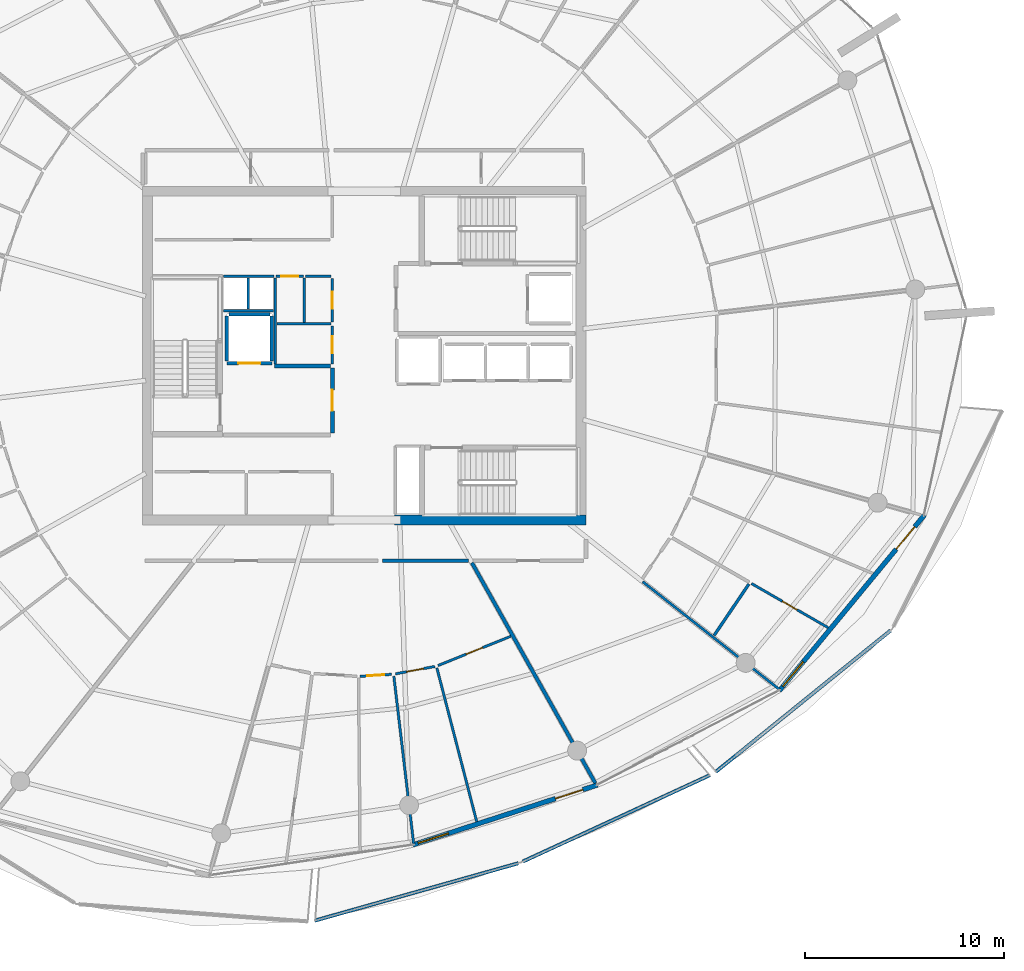
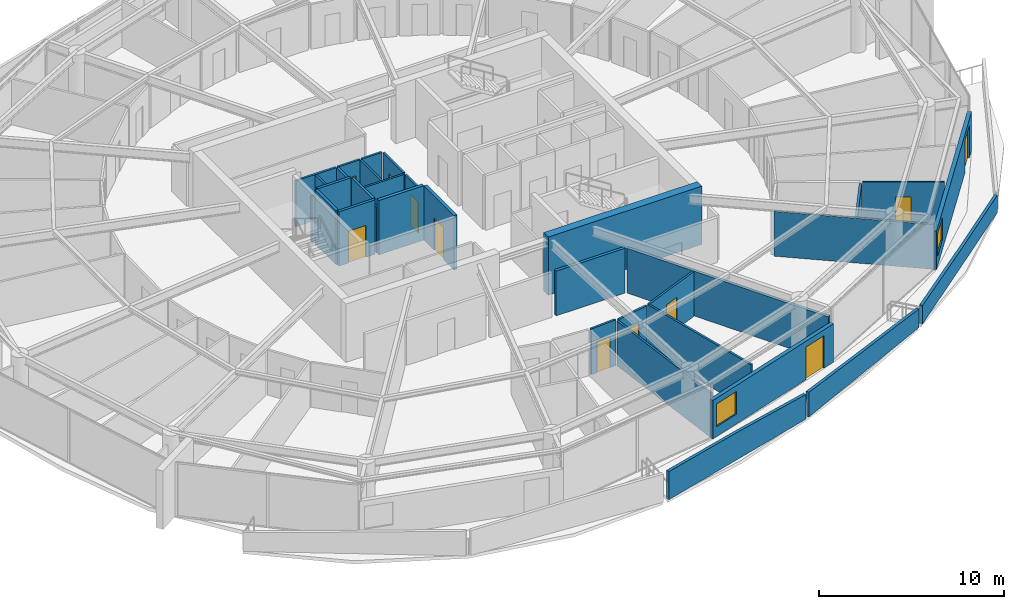
# One storey, part 19 of 30: 32 walls, 11 doors, 2 windows, 13 openings.
"""IFC4 building model written with IfcOpenShell, lengths in metres."""

from ifc_helpers import new_model, si_unit, direction, frame, frame_2d, origin, place, context, subcontext, project, spatial, polyline, rectangle, outline, extrude, material, layer, layer_set, type_object, element, fill, save


model = new_model("IFC4")

# Units and contexts
model_context = context("Model", 3, precision=1e-05, world=origin(), true_north=direction((0.0, 1.0)))
body_context = subcontext(model_context, "Body", "Model", "MODEL_VIEW")
ifc_project = project(units=[si_unit("LENGTHUNIT", "METRE"), si_unit("AREAUNIT", "SQUARE_METRE"), si_unit("VOLUMEUNIT", "CUBIC_METRE"), si_unit("PLANEANGLEUNIT", "RADIAN"), si_unit("MASSUNIT", "GRAM", prefix="KILO")], contexts=[model_context])

# Site, building, storey
site_placement = place(None, origin())
site = spatial("IfcSite", under=ifc_project, at=site_placement, CompositionType="ELEMENT")
building_placement = place(site_placement, origin())
building = spatial("IfcBuilding", under=site, at=building_placement, Name="Kazma Halo Residences", CompositionType="ELEMENT")
storey_placement = place(building_placement, frame((0.0, 0.0, 298.300048828125)))
storey = spatial("IfcBuildingStorey", under=building, at=storey_placement, Name="L75", CompositionType="ELEMENT", Elevation=298.300048828125)

# Walls
ifc_material_1 = material(Name="White Concrete C50/60 Balustrade", Category="concrete")
ifc_layer_1 = layer(ifc_material_1, 0.179931640625)
ifc_layer_set_1 = layer_set([ifc_layer_1], Name="White Concrete C50/60 Balustrade")
wall_type_1 = type_object("IfcWallType", Name="WL-BAL-WAVE-180", PredefinedType="PARAPET", material=ifc_layer_set_1)
wall_1_placement = place(storey_placement, frame((45.94189453125, 13.635498046875, 0.0), z_axis=(0.0, 0.0, 1.0), x_axis=(0.962462930889, 0.271413165976, 0.0)))
element("IfcWall", 1, at=wall_1_placement, inside=storey, type_object=wall_type_1, Name="L75 white wave balustrade wall SSE.1", PredefinedType="PARAPET", context=body_context, shape_type="SweptSolid", body=[
    extrude(outline(polyline([(0.0, 0.0), (10.610595703125, 0.0), (10.610595703125, 1.6318359375), (5.305419921875, 1.7978515625), (0.0, 1.85986328125), (0.0, 0.0)])), frame((0.0, 0.08984375, 0.0), z_axis=(0.0, -1.0, 0.0), x_axis=(1.0, 0.0, 0.0)), (0.0, 0.0, 1.0), 0.179931640625),
])
wall_2_placement = place(storey_placement, frame((56.378662109375, 16.598388671875, 0.0), z_axis=(0.0, 0.0, 1.0), x_axis=(0.907848132744, 0.419299138888, 0.0)))
element("IfcWall", 2, at=wall_2_placement, inside=storey, type_object=wall_type_1, Name="L75 white wave balustrade wall SSE.2", PredefinedType="PARAPET", context=body_context, shape_type="SweptSolid", body=[
    extrude(outline(polyline([(0.0, 0.0), (10.34375, 0.0), (10.34375, 1.23291015625), (5.171875, 1.41796875), (0.0, 1.6318359375), (0.0, 0.0)])), frame((0.0, 0.08984375, 0.0), z_axis=(0.0, -1.0, 0.0), x_axis=(1.0, 0.0, 0.0)), (0.0, 0.0, 1.0), 0.179931640625),
])
wall_3_placement = place(storey_placement, frame((66.0673828125, 21.10546875, 0.0), z_axis=(0.0, 0.0, 1.0), x_axis=(0.777688536298, 0.628649775718, 0.0)))
element("IfcWall", 3, at=wall_3_placement, inside=storey, type_object=wall_type_1, Name="L75 white wave balustrade wall SE.1", PredefinedType="PARAPET", context=body_context, shape_type="SweptSolid", body=[
    extrude(outline(polyline([(0.0, 0.0), (11.284912109375, 0.0), (11.28466796875, 1.14794921875), (5.642333984375, 1.126953125), (0.0, 1.223876953125), (0.0, 0.0)])), frame((0.0, 0.08984375, 0.0), z_axis=(0.0, -1.0, 0.0), x_axis=(1.0, 0.0, 0.0)), (0.0, 0.0, 1.0), 0.179931640625),
])
ifc_material_2 = material(Name="Concrete C60/75", Category="concrete")
ifc_layer_2 = layer(ifc_material_2, 0.5)
ifc_layer_set_2 = layer_set([ifc_layer_2], Name="Concrete C60/75")
wall_type_2 = type_object("IfcWallType", Name="WL-CORE-500", PredefinedType="SHEAR", material=ifc_layer_set_2)
wall_4_placement = place(storey_placement, frame((49.949951171875, 33.75, 0.0), z_axis=(0.0, 0.0, 1.0), x_axis=(1.0, 0.0, 0.0)))
element("IfcWall", 4, at=wall_4_placement, inside=storey, type_object=wall_type_2, Name="L75 central core shear wall SE", PredefinedType="SHEAR", context=body_context, shape_type="SweptSolid", body=[
    extrude(rectangle(XDim=9.60009765625, YDim=0.5, at=frame_2d((4.800048828125, 0.0))), origin(), (0.0, 0.0, 1.0), 3.849853515625),
])
ifc_material_3 = material(Name="Acoustic Twin-Stud Gypsum")
ifc_layer_3 = layer(ifc_material_3, 0.179931640625)
ifc_layer_set_3 = layer_set([ifc_layer_3], Name="Acoustic Twin-Stud Gypsum")
wall_type_3 = type_object("IfcWallType", Name="WL-DEM-180", PredefinedType="PARTITIONING", material=ifc_layer_set_3)
wall_5_placement = place(storey_placement, frame((53.822021484375, 31.60400390625, 0.0), z_axis=(0.0, 0.0, 1.0), x_axis=(0.48862858053, -0.872491896976, 0.0)))
element("IfcWall", 5, at=wall_5_placement, inside=storey, type_object=wall_type_3, Name="L75 apartment demising radial wall 12", PredefinedType="PARTITIONING", context=body_context, shape_type="SweptSolid", body=[
    extrude(rectangle(XDim=12.679443359375, YDim=0.179931640625, at=frame_2d((6.33984375, 0.0))), origin(), (0.0, 0.0, 1.0), 2.95703125),
])
wall_6_placement = place(storey_placement, frame((49.339111328125, 31.699951171875, 0.0), z_axis=(0.0, 0.0, 1.0), x_axis=(1.0, 0.0, 0.0)))
element("IfcWall", 6, at=wall_6_placement, inside=storey, type_object=wall_type_3, Name="L75 Apartment 1 inner wall 11", PredefinedType="PARTITIONING", context=body_context, shape_type="SweptSolid", body=[
    extrude(rectangle(XDim=4.30908203125, YDim=0.179931640625, at=frame_2d((2.154541015625, 0.0))), origin(), (0.0, 0.0, 1.0), 2.95703125),
])

# Wall, openings, door, window
ifc_material_4 = material(Name="Insulated Pale-Metal Composite Wall")
ifc_layer_4 = layer(ifc_material_4, 0.239990234375)
ifc_layer_set_4 = layer_set([ifc_layer_4], Name="Insulated Pale-Metal Composite Wall")
wall_type_4 = type_object("IfcWallType", Name="WL-EXT-HOST-240", PredefinedType="SOLIDWALL", material=ifc_layer_set_4)
wall_7_placement = place(storey_placement, frame((50.85791015625, 17.436279296875, 0.0), z_axis=(0.0, 0.0, 1.0), x_axis=(0.951055974609, 0.309018661507, 0.0)))
wall_7 = element("IfcWall", 7, at=wall_7_placement, inside=storey, type_object=wall_type_4, Name="L75 exterior terrace-access wall B12", PredefinedType="SOLIDWALL", context=body_context, shape_type="SweptSolid", body=[
    extrude(rectangle(XDim=9.745361328125, YDim=0.239990234375, at=frame_2d((4.87255859375, 0.0))), origin(), (0.0, 0.0, 1.0), 2.5400390625),
])
opening_1_placement = place(wall_7_placement, frame((7.525390625, 0.0, 0.0)))
opening_1 = element("IfcOpeningElement", 8, at=opening_1_placement, cuts=wall_7, Name="Opening DTR-1600", PredefinedType="OPENING", context=body_context, shape_type="SweptSolid", body=[
    extrude(rectangle(XDim=1.449951171875, YDim=2.14990234375, at=frame_2d((0.72509765625, 1.074951171875))), frame((0.0, 0.1298828125, 0.0), z_axis=(0.0, -1.0, 0.0), x_axis=(1.0, 0.0, 0.0)), (0.0, 0.0, 1.0), 0.260009765625),
])
opening_2_placement = place(wall_7_placement, frame((0.280029296875, 0.0, 0.64990234375)))
opening_2 = element("IfcOpeningElement", 9, at=opening_2_placement, cuts=wall_7, Name="Opening W-1800", PredefinedType="OPENING", context=body_context, shape_type="SweptSolid", body=[
    extrude(rectangle(XDim=1.60009765625, YDim=1.5, at=frame_2d((0.800048828125, 0.75))), frame((0.0, 0.1298828125, 0.0), z_axis=(0.0, -1.0, 0.0), x_axis=(1.0, 0.0, 0.0)), (0.0, 0.0, 1.0), 0.260009765625),
])
ifc_material_5 = material(Name="Aluminium AW-6063 T6 Double-Glazed Terrace Door", Category="aluminium")
door_type_1 = type_object("IfcDoorType", Name="DR-EXT-TERR-1600", OperationType="NOTDEFINED", PredefinedType="DOOR", material=ifc_material_5)
door_1_placement = place(opening_1_placement, origin())
door_1 = element("IfcDoor", 10, at=door_1_placement, inside=storey, type_object=door_type_1, Name="L75 B12 balcony terrace door", OperationType="DOUBLE_DOOR_SLIDING", OverallHeight=2.14990234375, OverallWidth=1.449951171875, PredefinedType="DOOR", context=body_context, shape_type="SweptSolid", body=[
    extrude(rectangle(XDim=1.449951171875, YDim=2.14990234375, at=frame_2d((0.72509765625, 1.074951171875))), frame((0.0, 0.02490234375, 0.0), z_axis=(0.0, -1.0, 0.0), x_axis=(1.0, 0.0, 0.0)), (0.0, 0.0, 1.0), 0.050048828125),
])
fill(opening_1, door_1)
ifc_material_6 = material(Name="Clear Triple-Silver Low-E Glass in Aluminium AW-6063 T6 Frame", Category="aluminium")
window_type = type_object("IfcWindowType", Name="WIN-RES-1800", PartitioningType="DOUBLE_PANEL_VERTICAL", PredefinedType="WINDOW", material=ifc_material_6)
window_1_placement = place(opening_2_placement, origin())
window_1 = element("IfcWindow", 11, at=window_1_placement, inside=storey, type_object=window_type, Name="L75 B12 apartment window", OverallHeight=1.5, OverallWidth=1.60009765625, PartitioningType="SINGLE_PANEL", PredefinedType="WINDOW", context=body_context, shape_type="SweptSolid", body=[
    extrude(rectangle(XDim=1.60009765625, YDim=1.5, at=frame_2d((0.800048828125, 0.75))), frame((0.0, 0.030029296875, 0.0), z_axis=(0.0, -1.0, 0.0), x_axis=(1.0, 0.0, 0.0)), (0.0, 0.0, 1.0), 0.06005859375),
])
fill(opening_2, window_1)

wall_8_placement = place(storey_placement, frame((69.2578125, 25.177978515625, 0.0), z_axis=(0.0, 0.0, 1.0), x_axis=(0.636680093065, 0.771128043255, 0.0)))
wall_8 = element("IfcWall", 12, at=wall_8_placement, inside=storey, type_object=wall_type_4, Name="L75 exterior terrace-access wall B14", PredefinedType="SOLIDWALL", context=body_context, shape_type="SweptSolid", body=[
    extrude(rectangle(XDim=11.438232421875, YDim=0.239990234375, at=frame_2d((5.71923828125, 0.0))), origin(), (0.0, 0.0, 1.0), 2.5400390625),
])
opening_3_placement = place(wall_8_placement, frame((9.21826171875, 0.0, 0.0)))
opening_3 = element("IfcOpeningElement", 13, at=opening_3_placement, cuts=wall_8, Name="Opening DTR-1600", PredefinedType="OPENING", context=body_context, shape_type="SweptSolid", body=[
    extrude(rectangle(XDim=1.449951171875, YDim=2.14990234375, at=frame_2d((0.72509765625, 1.074951171875))), frame((0.0, 0.1298828125, 0.0), z_axis=(0.0, -1.0, 0.0), x_axis=(1.0, 0.0, 0.0)), (0.0, 0.0, 1.0), 0.260009765625),
])
opening_4_placement = place(wall_8_placement, frame((0.280029296875, 0.0, 0.64990234375)))
opening_4 = element("IfcOpeningElement", 14, at=opening_4_placement, cuts=wall_8, Name="Opening W-1800", PredefinedType="OPENING", context=body_context, shape_type="SweptSolid", body=[
    extrude(rectangle(XDim=1.60009765625, YDim=1.5, at=frame_2d((0.800048828125, 0.75))), frame((0.0, 0.1298828125, 0.0), z_axis=(0.0, -1.0, 0.0), x_axis=(1.0, 0.0, 0.0)), (0.0, 0.0, 1.0), 0.260009765625),
])
door_2_placement = place(opening_3_placement, origin())
door_2 = element("IfcDoor", 15, at=door_2_placement, inside=storey, type_object=door_type_1, Name="L75 B14 balcony terrace door", OperationType="DOUBLE_DOOR_SLIDING", OverallHeight=2.14990234375, OverallWidth=1.449951171875, PredefinedType="DOOR", context=body_context, shape_type="SweptSolid", body=[
    extrude(rectangle(XDim=1.449951171875, YDim=2.14990234375, at=frame_2d((0.72509765625, 1.074951171875))), frame((0.0, 0.02490234375, 0.0), z_axis=(0.0, -1.0, 0.0), x_axis=(1.0, 0.0, 0.0)), (0.0, 0.0, 1.0), 0.050048828125),
])
fill(opening_3, door_2)
window_2_placement = place(opening_4_placement, origin())
window_2 = element("IfcWindow", 16, at=window_2_placement, inside=storey, type_object=window_type, Name="L75 B14 apartment window", OverallHeight=1.5, OverallWidth=1.60009765625, PartitioningType="SINGLE_PANEL", PredefinedType="WINDOW", context=body_context, shape_type="SweptSolid", body=[
    extrude(rectangle(XDim=1.60009765625, YDim=1.5, at=frame_2d((0.800048828125, 0.75))), frame((0.0, 0.030029296875, 0.0), z_axis=(0.0, -1.0, 0.0), x_axis=(1.0, 0.0, 0.0)), (0.0, 0.0, 1.0), 0.06005859375),
])
fill(opening_4, window_2)

# Wall, opening, door
ifc_material_7 = material(Name="Fire-Rated Blockwork Masonry", Category="masonry")
ifc_layer_5 = layer(ifc_material_7, 0.199951171875)
ifc_layer_set_5 = layer_set([ifc_layer_5], Name="Fire-Rated Blockwork Masonry")
wall_type_5 = type_object("IfcWallType", Name="WL-FLB-200", PredefinedType="PARTITIONING", material=ifc_layer_set_5)
wall_9_placement = place(storey_placement, frame((43.780029296875, 41.6201171875, 0.0), z_axis=(0.0, 0.0, 1.0), x_axis=(-1.0, 0.0, 0.0)))
wall_9 = element("IfcWall", 17, at=wall_9_placement, inside=storey, type_object=wall_type_5, Name="L75 lift shaft FL-01 front wall", PredefinedType="PARTITIONING", context=body_context, shape_type="SweptSolid", body=[
    extrude(rectangle(XDim=2.260009765625, YDim=0.159912109375, at=frame_2d((1.1298828125, 0.0))), origin(), (0.0, 0.0, 1.0), 3.58984375),
])
opening_5_placement = place(wall_9_placement, frame((0.580078125, 0.0, 0.0)))
opening_5 = element("IfcOpeningElement", 18, at=opening_5_placement, cuts=wall_9, Name="Opening LD-FL-01", PredefinedType="OPENING", context=body_context, shape_type="SweptSolid", body=[
    extrude(rectangle(XDim=1.10009765625, YDim=2.10009765625, at=frame_2d((0.550048828125, 1.050048828125))), frame((0.0, 0.08984375, 0.0), z_axis=(0.0, -1.0, 0.0), x_axis=(1.0, 0.0, 0.0)), (0.0, 0.0, 1.0), 0.179931640625),
])
ifc_material_8 = material(Name="Stainless Steel Fire-Rated", Category="steel")
door_type_2 = type_object("IfcDoorType", Name="DR-LIFT-SLD-1100", OperationType="DOUBLE_DOOR_SLIDING", PredefinedType="DOOR", material=ifc_material_8)
door_3_placement = place(opening_5_placement, origin())
door_3 = element("IfcDoor", 19, at=door_3_placement, inside=storey, type_object=door_type_2, Name="L75 lift FL-01 sliding landing door", OperationType="DOUBLE_DOOR_SLIDING", OverallHeight=2.10009765625, OverallWidth=1.10009765625, PredefinedType="DOOR", context=body_context, shape_type="SweptSolid", body=[
    extrude(rectangle(XDim=1.10009765625, YDim=2.10009765625, at=frame_2d((0.550048828125, 1.050048828125))), frame((0.0, 0.02490234375, 0.0), z_axis=(0.0, -1.0, 0.0), x_axis=(1.0, 0.0, 0.0)), (0.0, 0.0, 1.0), 0.050048828125),
])
fill(opening_5, door_3)

# Walls
for number, where, z_axis, x_axis, name in (
    (20, (43.780029296875, 41.719970703125, 0.0), (0.0, 0.0, 1.0), (0.0, 1.0, 0.0), "L75 lift shaft FL-01 side wall E"),
    (21, (41.52001953125, 41.719970703125, 0.0), (0.0, 0.0, 1.0), (0.0, 1.0, 0.0), "L75 lift shaft FL-01 side wall W"),
):
    element("IfcWall", number, at=place(storey_placement, frame(where, z_axis=z_axis, x_axis=x_axis)), inside=storey, type_object=wall_type_5, Name=name, PredefinedType="PARTITIONING", context=body_context, shape_type="SweptSolid", body=[
        extrude(rectangle(XDim=2.260009765625, YDim=0.159912109375, at=frame_2d((1.1298828125, 0.0))), origin(), (0.0, 0.0, 1.0), 3.58984375),
    ])
wall_10_placement = place(storey_placement, frame((41.6201171875, 44.080078125, 0.0), z_axis=(0.0, 0.0, 1.0), x_axis=(1.0, 0.0, 0.0)))
element("IfcWall", 22, at=wall_10_placement, inside=storey, type_object=wall_type_5, Name="L75 lift shaft FL-01 side wall N", PredefinedType="PARTITIONING", context=body_context, shape_type="SweptSolid", body=[
    extrude(rectangle(XDim=2.059814453125, YDim=0.159912109375, at=frame_2d((1.02978515625, 0.0))), origin(), (0.0, 0.0, 1.0), 3.58984375),
])
wall_11_placement = place(storey_placement, frame((43.919921875, 41.47998046875, 0.0), z_axis=(0.0, 0.0, 1.0), x_axis=(1.0, 0.0, 0.0)))
element("IfcWall", 23, at=wall_11_placement, inside=storey, type_object=wall_type_5, Name="L75 west firefighting lobby north smoke wall", PredefinedType="PARTITIONING", context=body_context, shape_type="SweptSolid", body=[
    extrude(rectangle(XDim=2.800048828125, YDim=0.199951171875, at=frame_2d((1.39990234375, 0.0))), origin(), (0.0, 0.0, 1.0), 3.58984375),
])

# Wall, opening, door
wall_12_placement = place(storey_placement, frame((46.820068359375, 38.1201171875, 0.0), z_axis=(0.0, 0.0, 1.0), x_axis=(0.0, 1.0, 0.0)))
wall_12 = element("IfcWall", 24, at=wall_12_placement, inside=storey, type_object=wall_type_5, Name="L75 west firefighting lobby smoke wall", PredefinedType="PARTITIONING", context=body_context, shape_type="SweptSolid", body=[
    extrude(rectangle(XDim=3.259765625, YDim=0.199951171875, at=frame_2d((1.6298828125, 0.0))), origin(), (0.0, 0.0, 1.0), 3.58984375),
])
opening_6_placement = place(wall_12_placement, frame((1.10498046875, 0.0, 0.0)))
opening_6 = element("IfcOpeningElement", 25, at=opening_6_placement, cuts=wall_12, Name="Opening D-FLW", PredefinedType="OPENING", context=body_context, shape_type="SweptSolid", body=[
    extrude(rectangle(XDim=1.050048828125, YDim=2.10009765625, at=frame_2d((0.52490234375, 1.050048828125))), frame((0.0, 0.10986328125, 0.0), z_axis=(0.0, -1.0, 0.0), x_axis=(1.0, 0.0, 0.0)), (0.0, 0.0, 1.0), 0.219970703125),
])
ifc_material_9 = material(Name="Fire-Rated Steel Leaf", Category="steel")
door_type_3 = type_object("IfcDoorType", Name="DR-FD90-1050", OperationType="NOTDEFINED", PredefinedType="DOOR", material=ifc_material_9)
door_4_placement = place(opening_6_placement, origin())
door_4 = element("IfcDoor", 26, at=door_4_placement, inside=storey, type_object=door_type_3, Name="L75 west firefighting lobby smoke door", OperationType="SINGLE_SWING_RIGHT", OverallHeight=2.10009765625, OverallWidth=1.050048828125, PredefinedType="DOOR", context=body_context, shape_type="SweptSolid", body=[
    extrude(rectangle(XDim=1.050048828125, YDim=2.10009765625, at=frame_2d((0.52490234375, 1.050048828125))), frame((0.0, 0.02490234375, 0.0), z_axis=(0.0, -1.0, 0.0), x_axis=(1.0, 0.0, 0.0)), (0.0, 0.0, 1.0), 0.050048828125),
])
fill(opening_6, door_4)

# Walls
ifc_material_10 = material(Name="Gypsum Plasterboard Partition")
ifc_layer_6 = layer(ifc_material_10, 0.125)
ifc_layer_set_6 = layer_set([ifc_layer_6], Name="Gypsum Plasterboard Partition")
wall_type_6 = type_object("IfcWallType", Name="WL-PART-125", PredefinedType="PARTITIONING", material=ifc_layer_set_6)
wall_13_placement = place(storey_placement, frame((41.360107421875, 44.260009765625, 0.0), z_axis=(0.0, 0.0, 1.0), x_axis=(1.0, 0.0, 0.0)))
element("IfcWall", 27, at=wall_13_placement, inside=storey, type_object=wall_type_6, Name="L75 core riser south wall", PredefinedType="PARTITIONING", context=body_context, shape_type="SweptSolid", body=[
    extrude(rectangle(XDim=2.5, YDim=0.125, at=frame_2d((1.25, 0.0))), origin(), (0.0, 0.0, 1.0), 3.030029296875),
])
wall_14_placement = place(storey_placement, frame((42.60009765625, 44.35009765625, 0.0), z_axis=(0.0, 0.0, 1.0), x_axis=(0.0, 1.0, 0.0)))
element("IfcWall", 28, at=wall_14_placement, inside=storey, type_object=wall_type_6, Name="L75 core riser divider wall", PredefinedType="PARTITIONING", context=body_context, shape_type="SweptSolid", body=[
    extrude(rectangle(XDim=1.5498046875, YDim=0.125, at=frame_2d((0.77490234375, 0.0))), origin(), (0.0, 0.0, 1.0), 3.030029296875),
])
wall_15_placement = place(storey_placement, frame((43.949951171875, 41.580078125, 0.0), z_axis=(0.0, 0.0, 1.0), x_axis=(0.0, 1.0, 0.0)))
element("IfcWall", 29, at=wall_15_placement, inside=storey, type_object=wall_type_6, Name="L75 core service west wall", PredefinedType="PARTITIONING", context=body_context, shape_type="SweptSolid", body=[
    extrude(rectangle(XDim=4.31982421875, YDim=0.125, at=frame_2d((2.159912109375, 0.0))), origin(), (0.0, 0.0, 1.0), 3.030029296875),
])
wall_16_placement = place(storey_placement, frame((44.030029296875, 43.590087890625, 0.0), z_axis=(0.0, 0.0, 1.0), x_axis=(1.0, 0.0, 0.0)))
element("IfcWall", 30, at=wall_16_placement, inside=storey, type_object=wall_type_6, Name="L75 core service horiz divider", PredefinedType="PARTITIONING", context=body_context, shape_type="SweptSolid", body=[
    extrude(rectangle(XDim=2.7099609375, YDim=0.125, at=frame_2d((1.35498046875, 0.0))), origin(), (0.0, 0.0, 1.0), 3.030029296875),
])
wall_17_placement = place(storey_placement, frame((45.409912109375, 43.669921875, 0.0), z_axis=(0.0, 0.0, 1.0), x_axis=(0.0, 1.0, 0.0)))
element("IfcWall", 31, at=wall_17_placement, inside=storey, type_object=wall_type_6, Name="L75 core service vert divider", PredefinedType="PARTITIONING", context=body_context, shape_type="SweptSolid", body=[
    extrude(rectangle(XDim=2.22998046875, YDim=0.125, at=frame_2d((1.114990234375, 0.0))), origin(), (0.0, 0.0, 1.0), 3.030029296875),
])

# Wall, opening, door
wall_18_placement = place(storey_placement, frame((46.820068359375, 41.580078125, 0.0), z_axis=(0.0, 0.0, 1.0), x_axis=(0.0, 1.0, 0.0)))
wall_18 = element("IfcWall", 32, at=wall_18_placement, inside=storey, type_object=wall_type_6, Name="L75 refuse room east wall", PredefinedType="PARTITIONING", context=body_context, shape_type="SweptSolid", body=[
    extrude(rectangle(XDim=1.909912109375, YDim=0.125, at=frame_2d((0.955078125, 0.0))), origin(), (0.0, 0.0, 1.0), 3.030029296875),
])
opening_7_placement = place(wall_18_placement, frame((0.530029296875, 0.0, 0.0)))
opening_7 = element("IfcOpeningElement", 33, at=opening_7_placement, cuts=wall_18, Name="Opening DS-850", PredefinedType="OPENING", context=body_context, shape_type="SweptSolid", body=[
    extrude(rectangle(XDim=0.85009765625, YDim=2.06005859375, at=frame_2d((0.425048828125, 1.030029296875))), frame((0.0, 0.072509765625, 0.0), z_axis=(0.0, -1.0, 0.0), x_axis=(1.0, 0.0, 0.0)), (0.0, 0.0, 1.0), 0.14501953125),
])
ifc_material_11 = material(Name="Painted Steel Access Leaf", Category="steel")
door_type_4 = type_object("IfcDoorType", Name="DR-SVC-850", OperationType="NOTDEFINED", PredefinedType="DOOR", material=ifc_material_11)
door_5_placement = place(opening_7_placement, origin())
door_5 = element("IfcDoor", 34, at=door_5_placement, inside=storey, type_object=door_type_4, Name="L75 refuse room door", OperationType="SINGLE_SWING_RIGHT", OverallHeight=2.06005859375, OverallWidth=0.85009765625, PredefinedType="DOOR", context=body_context, shape_type="SweptSolid", body=[
    extrude(rectangle(XDim=0.85009765625, YDim=2.06005859375, at=frame_2d((0.425048828125, 1.030029296875))), frame((0.0, 0.02490234375, 0.0), z_axis=(0.0, -1.0, 0.0), x_axis=(1.0, 0.0, 0.0)), (0.0, 0.0, 1.0), 0.050048828125),
])
fill(opening_7, door_5)

wall_19_placement = place(storey_placement, frame((46.820068359375, 43.68994140625, 0.0), z_axis=(0.0, 0.0, 1.0), x_axis=(0.0, 1.0, 0.0)))
wall_19 = element("IfcWall", 35, at=wall_19_placement, inside=storey, type_object=wall_type_6, Name="L75 sub-metering east wall", PredefinedType="PARTITIONING", context=body_context, shape_type="SweptSolid", body=[
    extrude(rectangle(XDim=2.18994140625, YDim=0.125, at=frame_2d((1.094970703125, 0.0))), origin(), (0.0, 0.0, 1.0), 3.030029296875),
])
opening_8_placement = place(wall_19_placement, frame((0.669921875, 0.0, 0.0)))
opening_8 = element("IfcOpeningElement", 36, at=opening_8_placement, cuts=wall_19, Name="Opening DS-850", PredefinedType="OPENING", context=body_context, shape_type="SweptSolid", body=[
    extrude(rectangle(XDim=0.85009765625, YDim=2.06005859375, at=frame_2d((0.425048828125, 1.030029296875))), frame((0.0, 0.072509765625, 0.0), z_axis=(0.0, -1.0, 0.0), x_axis=(1.0, 0.0, 0.0)), (0.0, 0.0, 1.0), 0.14501953125),
])
door_6_placement = place(opening_8_placement, origin())
door_6 = element("IfcDoor", 37, at=door_6_placement, inside=storey, type_object=door_type_4, Name="L75 sub-metering door", OperationType="SINGLE_SWING_LEFT", OverallHeight=2.06005859375, OverallWidth=0.85009765625, PredefinedType="DOOR", context=body_context, shape_type="SweptSolid", body=[
    extrude(rectangle(XDim=0.85009765625, YDim=2.06005859375, at=frame_2d((0.425048828125, 1.030029296875))), frame((0.0, 0.02490234375, 0.0), z_axis=(0.0, -1.0, 0.0), x_axis=(1.0, 0.0, 0.0)), (0.0, 0.0, 1.0), 0.050048828125),
])
fill(opening_8, door_6)

# Wall
wall_20_placement = place(storey_placement, frame((41.35009765625, 45.97998046875, 0.0), z_axis=(0.0, 0.0, 1.0), x_axis=(1.0, 0.0, 0.0)))
element("IfcWall", 38, at=wall_20_placement, inside=storey, type_object=wall_type_6, Name="L75 core riser NW wall", PredefinedType="PARTITIONING", context=body_context, shape_type="SweptSolid", body=[
    extrude(rectangle(XDim=2.52978515625, YDim=0.125, at=frame_2d((1.264892578125, 0.0))), origin(), (0.0, 0.0, 1.0), 3.030029296875),
])

# Wall, opening, door
wall_21_placement = place(storey_placement, frame((43.989990234375, 45.97998046875, 0.0), z_axis=(0.0, 0.0, 1.0), x_axis=(1.0, 0.0, 0.0)))
wall_21 = element("IfcWall", 39, at=wall_21_placement, inside=storey, type_object=wall_type_6, Name="L75 cleaners cupboard north wall", PredefinedType="PARTITIONING", context=body_context, shape_type="SweptSolid", body=[
    extrude(rectangle(XDim=1.380126953125, YDim=0.125, at=frame_2d((0.68994140625, 0.0))), origin(), (0.0, 0.0, 1.0), 3.030029296875),
])
opening_9_placement = place(wall_21_placement, frame((0.264892578125, 0.0, 0.0)))
opening_9 = element("IfcOpeningElement", 40, at=opening_9_placement, cuts=wall_21, Name="Opening DS-850", PredefinedType="OPENING", context=body_context, shape_type="SweptSolid", body=[
    extrude(rectangle(XDim=0.85009765625, YDim=2.06005859375, at=frame_2d((0.425048828125, 1.030029296875))), frame((0.0, 0.072509765625, 0.0), z_axis=(0.0, -1.0, 0.0), x_axis=(1.0, 0.0, 0.0)), (0.0, 0.0, 1.0), 0.14501953125),
])
door_7_placement = place(opening_9_placement, origin())
door_7 = element("IfcDoor", 41, at=door_7_placement, inside=storey, type_object=door_type_4, Name="L75 cleaners cupboard door", OperationType="SINGLE_SWING_RIGHT", OverallHeight=2.06005859375, OverallWidth=0.85009765625, PredefinedType="DOOR", context=body_context, shape_type="SweptSolid", body=[
    extrude(rectangle(XDim=0.85009765625, YDim=2.06005859375, at=frame_2d((0.425048828125, 1.030029296875))), frame((0.0, 0.02490234375, 0.0), z_axis=(0.0, -1.0, 0.0), x_axis=(1.0, 0.0, 0.0)), (0.0, 0.0, 1.0), 0.050048828125),
])
fill(opening_9, door_7)

# Wall
wall_22_placement = place(storey_placement, frame((45.47998046875, 45.97998046875, 0.0), z_axis=(0.0, 0.0, 1.0), x_axis=(1.0, 0.0, 0.0)))
element("IfcWall", 42, at=wall_22_placement, inside=storey, type_object=wall_type_6, Name="L75 sub-metering north wall", PredefinedType="PARTITIONING", context=body_context, shape_type="SweptSolid", body=[
    extrude(rectangle(XDim=1.260009765625, YDim=0.125, at=frame_2d((0.6298828125, 0.0))), origin(), (0.0, 0.0, 1.0), 3.030029296875),
])

# Wall, opening, door
wall_23_placement = place(storey_placement, frame((48.21484375, 25.899658203125, 0.0), z_axis=(0.0, 0.0, 1.0), x_axis=(0.998014552678, 0.062983749032, 0.0)))
wall_23 = element("IfcWall", 43, at=wall_23_placement, inside=storey, type_object=wall_type_6, Name="L75 Apartment 1 Primary Bedroom hall wall", PredefinedType="PARTITIONING", context=body_context, shape_type="SweptSolid", body=[
    extrude(rectangle(XDim=1.58154296875, YDim=0.125, at=frame_2d((0.790771484375, 0.0))), origin(), (0.0, 0.0, 1.0), 3.030029296875),
])
opening_10_placement = place(wall_23_placement, frame((0.36572265625, 0.0, 0.0)))
opening_10 = element("IfcOpeningElement", 44, at=opening_10_placement, cuts=wall_23, Name="Opening DB-900", PredefinedType="OPENING", context=body_context, shape_type="SweptSolid", body=[
    extrude(rectangle(XDim=0.85009765625, YDim=2.06005859375, at=frame_2d((0.425048828125, 1.030029296875))), frame((0.0, 0.072509765625, 0.0), z_axis=(0.0, -1.0, 0.0), x_axis=(1.0, 0.0, 0.0)), (0.0, 0.0, 1.0), 0.14501953125),
])
ifc_material_12 = material(Name="Moisture-Sealed Timber Leaf", Category="wood")
door_type_5 = type_object("IfcDoorType", Name="DR-BTH-900", OperationType="NOTDEFINED", PredefinedType="DOOR", material=ifc_material_12)
door_8_placement = place(opening_10_placement, origin())
door_8 = element("IfcDoor", 45, at=door_8_placement, inside=storey, type_object=door_type_5, Name="L75 Apartment 1 Primary Bedroom door", OperationType="SINGLE_SWING_LEFT", OverallHeight=2.06005859375, OverallWidth=0.85009765625, PredefinedType="DOOR", context=body_context, shape_type="SweptSolid", body=[
    extrude(rectangle(XDim=0.85009765625, YDim=2.06005859375, at=frame_2d((0.425048828125, 1.030029296875))), frame((0.0, 0.02490234375, 0.0), z_axis=(0.0, -1.0, 0.0), x_axis=(1.0, 0.0, 0.0)), (0.0, 0.0, 1.0), 0.050048828125),
])
fill(opening_10, door_8)

# Walls
wall_24_placement = place(storey_placement, frame((49.90478515625, 25.90625, 0.0), z_axis=(0.0, 0.0, 1.0), x_axis=(0.117547094893, -0.99306730914, 0.0)))
element("IfcWall", 46, at=wall_24_placement, inside=storey, type_object=wall_type_6, Name="L75 Apartment 1 radial partition 11", PredefinedType="PARTITIONING", context=body_context, shape_type="SweptSolid", body=[
    extrude(rectangle(XDim=8.488525390625, YDim=0.125, at=frame_2d((4.244140625, 0.0))), origin(), (0.0, 0.0, 1.0), 2.95703125),
])
wall_25_placement = place(storey_placement, frame((52.064697265625, 26.322509765625, 0.0), z_axis=(0.0, 0.0, 1.0), x_axis=(0.250968538736, -0.967995244082, 0.0)))
element("IfcWall", 47, at=wall_25_placement, inside=storey, type_object=wall_type_6, Name="L75 Apartment 1 mid-bay wall 11", PredefinedType="PARTITIONING", context=body_context, shape_type="SweptSolid", body=[
    extrude(rectangle(XDim=7.96826171875, YDim=0.125, at=frame_2d((3.984130859375, 0.0))), origin(), (0.0, 0.0, 1.0), 3.030029296875),
])

# Wall, opening, door
wall_26_placement = place(storey_placement, frame((49.991455078125, 26.024169921875, 0.0), z_axis=(0.0, 0.0, 1.0), x_axis=(0.982793580951, 0.184707274469, 0.0)))
wall_26 = element("IfcWall", 48, at=wall_26_placement, inside=storey, type_object=wall_type_6, Name="L75 Apartment 1 Primary Dressing Wardrobe hall wall", PredefinedType="PARTITIONING", context=body_context, shape_type="SweptSolid", body=[
    extrude(rectangle(XDim=2.00634765625, YDim=0.125, at=frame_2d((1.003173828125, 0.0))), origin(), (0.0, 0.0, 1.0), 2.95703125),
])
opening_11_placement = place(wall_26_placement, frame((0.578369140625, 0.0, 0.0)))
opening_11 = element("IfcOpeningElement", 49, at=opening_11_placement, cuts=wall_26, Name="Opening DB-900", PredefinedType="OPENING", context=body_context, shape_type="SweptSolid", body=[
    extrude(rectangle(XDim=0.85009765625, YDim=2.06005859375, at=frame_2d((0.425048828125, 1.030029296875))), frame((0.0, 0.072509765625, 0.0), z_axis=(0.0, -1.0, 0.0), x_axis=(1.0, 0.0, 0.0)), (0.0, 0.0, 1.0), 0.14501953125),
])
door_9_placement = place(opening_11_placement, origin())
door_9 = element("IfcDoor", 50, at=door_9_placement, inside=storey, type_object=door_type_5, Name="L75 Apartment 1 Primary Dressing Wardrobe door", OperationType="SINGLE_SWING_LEFT", OverallHeight=2.06005859375, OverallWidth=0.85009765625, PredefinedType="DOOR", context=body_context, shape_type="SweptSolid", body=[
    extrude(rectangle(XDim=0.85009765625, YDim=2.06005859375, at=frame_2d((0.425048828125, 1.030029296875))), frame((0.0, 0.02490234375, 0.0), z_axis=(0.0, -1.0, 0.0), x_axis=(1.0, 0.0, 0.0)), (0.0, 0.0, 1.0), 0.050048828125),
])
fill(opening_11, door_9)

wall_27_placement = place(storey_placement, frame((52.1162109375, 26.439208984375, 0.0), z_axis=(0.0, 0.0, 1.0), x_axis=(0.92786943094, 0.372905241486, 0.0)))
wall_27 = element("IfcWall", 51, at=wall_27_placement, inside=storey, type_object=wall_type_6, Name="L75 Apartment 1 Secondary Master Bedroom hall wall", PredefinedType="PARTITIONING", context=body_context, shape_type="SweptSolid", body=[
    extrude(rectangle(XDim=3.9453125, YDim=0.125, at=frame_2d((1.97265625, 0.0))), origin(), (0.0, 0.0, 1.0), 2.95703125),
])
opening_12_placement = place(wall_27_placement, frame((1.522705078125, 0.0, 0.0)))
opening_12 = element("IfcOpeningElement", 52, at=opening_12_placement, cuts=wall_27, Name="Opening DI-950", PredefinedType="OPENING", context=body_context, shape_type="SweptSolid", body=[
    extrude(rectangle(XDim=0.89990234375, YDim=2.080078125, at=frame_2d((0.449951171875, 1.0400390625))), frame((0.0, 0.072509765625, 0.0), z_axis=(0.0, -1.0, 0.0), x_axis=(1.0, 0.0, 0.0)), (0.0, 0.0, 1.0), 0.14501953125),
])
ifc_material_13 = material(Name="Timber Veneer Flush Leaf", Category="wood")
door_type_6 = type_object("IfcDoorType", Name="DR-INT-950", OperationType="NOTDEFINED", PredefinedType="DOOR", material=ifc_material_13)
door_10_placement = place(opening_12_placement, origin())
door_10 = element("IfcDoor", 53, at=door_10_placement, inside=storey, type_object=door_type_6, Name="L75 Apartment 1 Secondary Master Bedroom door", OperationType="SINGLE_SWING_RIGHT", OverallHeight=2.080078125, OverallWidth=0.89990234375, PredefinedType="DOOR", context=body_context, shape_type="SweptSolid", body=[
    extrude(rectangle(XDim=0.89990234375, YDim=2.080078125, at=frame_2d((0.449951171875, 1.0400390625))), frame((0.0, 0.02490234375, 0.0), z_axis=(0.0, -1.0, 0.0), x_axis=(1.0, 0.0, 0.0)), (0.0, 0.0, 1.0), 0.050048828125),
])
fill(opening_12, door_10)

# Wall
wall_28_placement = place(storey_placement, frame((62.3994140625, 30.648193359375, 0.0), z_axis=(0.0, 0.0, 1.0), x_axis=(0.785335435896, -0.619070475088, 0.0)))
element("IfcWall", 54, at=wall_28_placement, inside=storey, type_object=wall_type_6, Name="L75 Apartment 2 radial partition 13", PredefinedType="PARTITIONING", context=body_context, shape_type="SweptSolid", body=[
    extrude(rectangle(XDim=8.74853515625, YDim=0.125, at=frame_2d((4.374267578125, 0.0))), origin(), (0.0, 0.0, 1.0), 2.95703125),
])

# Wall, opening, door
wall_29_placement = place(storey_placement, frame((67.856201171875, 30.560302734375, 0.0), z_axis=(0.0, 0.0, 1.0), x_axis=(0.86648068721, -0.499210595533, 0.0)))
wall_29 = element("IfcWall", 55, at=wall_29_placement, inside=storey, type_object=wall_type_6, Name="L75 Apartment 2 Household Store Room partition wall", PredefinedType="PARTITIONING", context=body_context, shape_type="SweptSolid", body=[
    extrude(rectangle(XDim=4.446533203125, YDim=0.125, at=frame_2d((2.22314453125, 0.0))), origin(), (0.0, 0.0, 1.0), 3.030029296875),
])
opening_13_placement = place(wall_29_placement, frame((1.798095703125, 0.0, 0.0)))
opening_13 = element("IfcOpeningElement", 56, at=opening_13_placement, cuts=wall_29, Name="Opening DB-900", PredefinedType="OPENING", context=body_context, shape_type="SweptSolid", body=[
    extrude(rectangle(XDim=0.85009765625, YDim=2.06005859375, at=frame_2d((0.425048828125, 1.030029296875))), frame((0.0, 0.072509765625, 0.0), z_axis=(0.0, -1.0, 0.0), x_axis=(1.0, 0.0, 0.0)), (0.0, 0.0, 1.0), 0.14501953125),
])
door_11_placement = place(opening_13_placement, origin())
door_11 = element("IfcDoor", 57, at=door_11_placement, inside=storey, type_object=door_type_5, Name="L75 Apartment 2 Household Store Room door", OperationType="SINGLE_SWING_RIGHT", OverallHeight=2.06005859375, OverallWidth=0.85009765625, PredefinedType="DOOR", context=body_context, shape_type="SweptSolid", body=[
    extrude(rectangle(XDim=0.85009765625, YDim=2.06005859375, at=frame_2d((0.425048828125, 1.030029296875))), frame((0.0, 0.02490234375, 0.0), z_axis=(0.0, -1.0, 0.0), x_axis=(1.0, 0.0, 0.0)), (0.0, 0.0, 1.0), 0.050048828125),
])
fill(opening_13, door_11)

# Wall
ifc_material_14 = material(Name="Moisture-Resistant Gypsum")
ifc_layer_7 = layer(ifc_material_14, 0.14990234375)
ifc_layer_set_7 = layer_set([ifc_layer_7], Name="Moisture-Resistant Gypsum")
wall_type_7 = type_object("IfcWallType", Name="WL-WET-150", PredefinedType="PARTITIONING", material=ifc_layer_set_7)
wall_30_placement = place(storey_placement, frame((65.981689453125, 27.951416015625, 0.0), z_axis=(0.0, 0.0, 1.0), x_axis=(0.560619338422, 0.82807364249, 0.0)))
element("IfcWall", 58, at=wall_30_placement, inside=storey, type_object=wall_type_7, Name="L75 Apartment 2 Guest Bathroom back wall", PredefinedType="PARTITIONING", context=body_context, shape_type="SweptSolid", body=[
    extrude(rectangle(XDim=3.114501953125, YDim=0.14990234375, at=frame_2d((1.55712890625, 0.0))), origin(), (0.0, 0.0, 1.0), 2.95703125),
])

save(model, "model.ifc")
